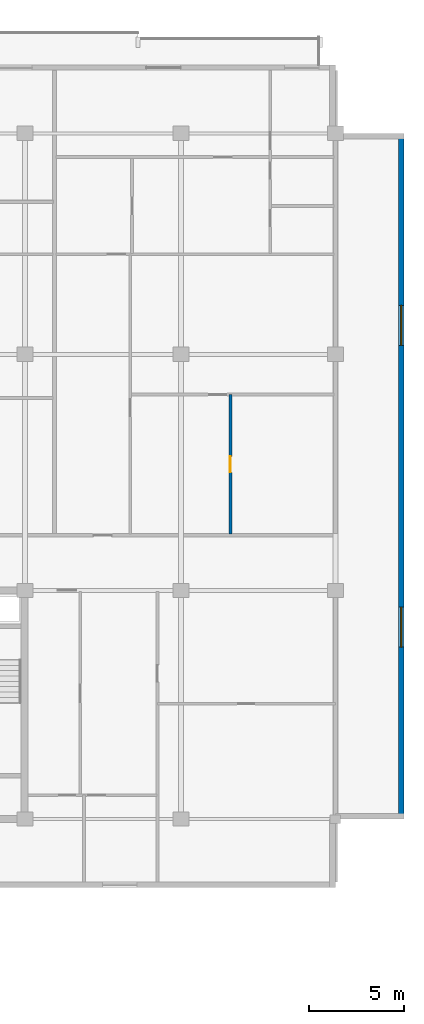
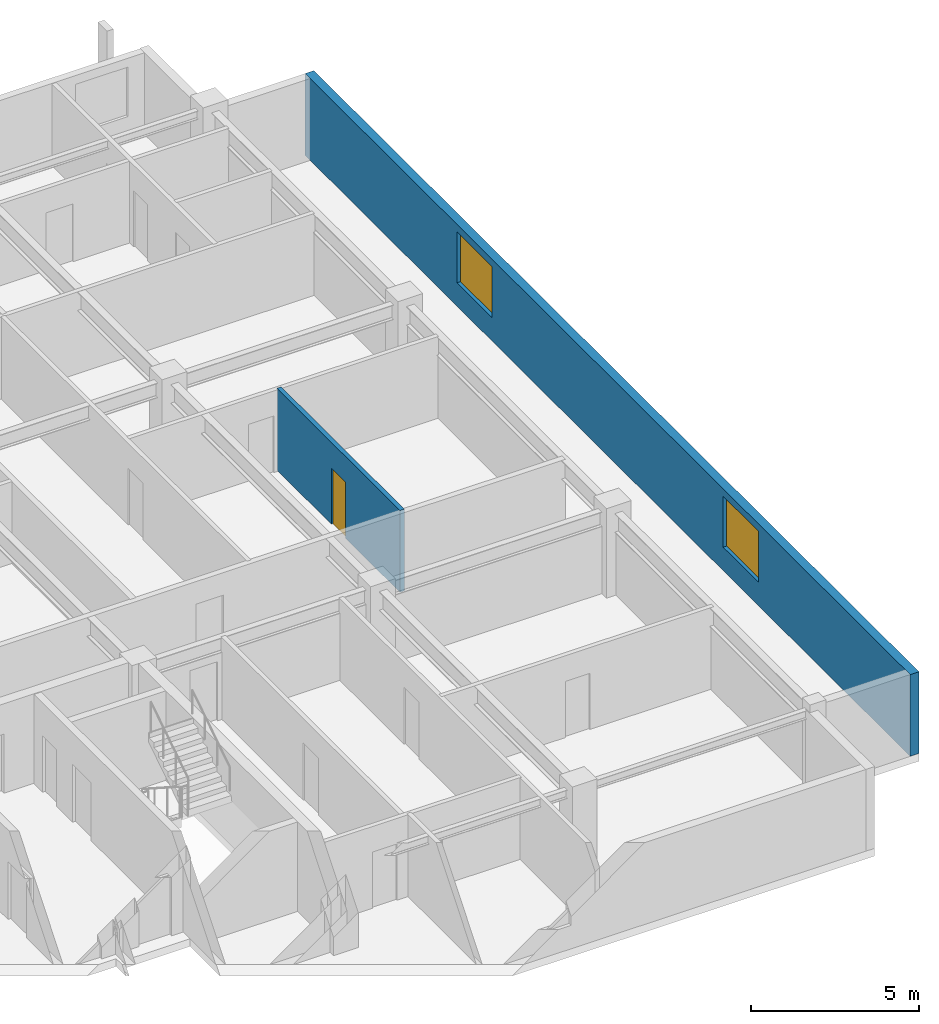
# One storey, part 6 of 11: 2 walls, 2 windows, 1 door, 3 openings.
"""IFC4 building model written with IfcOpenShell, lengths in metres."""

from ifc_helpers import new_model, si_unit, direction, frame, frame_2d, origin, place, context, subcontext, project, spatial, rectangle, extrude, material, layer, layer_set, type_object, element, fill, save


model = new_model("IFC4")

# Units and contexts
model_context = context("Model", 3, precision=1e-05, world=origin(), true_north=direction((0.0, 1.0)))
body_context = subcontext(model_context, "Body", "Model", "MODEL_VIEW")
ifc_project = project(units=[si_unit("LENGTHUNIT", "METRE"), si_unit("AREAUNIT", "SQUARE_METRE"), si_unit("VOLUMEUNIT", "CUBIC_METRE"), si_unit("PLANEANGLEUNIT", "RADIAN"), si_unit("MASSUNIT", "GRAM", prefix="KILO")], contexts=[model_context])

# Site, building, storey
site_placement = place(None, origin())
site = spatial("IfcSite", under=ifc_project, at=site_placement, CompositionType="ELEMENT")
building_placement = place(site_placement, origin())
building = spatial("IfcBuilding", under=site, at=building_placement, Name="Korimba Cascade Residences", CompositionType="ELEMENT")
storey_placement = place(building_placement, frame((0.0, 0.0, 217.35009765625)))
storey = spatial("IfcBuildingStorey", under=building, at=storey_placement, Name="L63", CompositionType="ELEMENT", Elevation=217.35009765625)

# Wall, openings, windows
ifc_material_1 = material(Name="Precast concrete C40/50", Category="concrete")
ifc_layer_1 = layer(ifc_material_1, 0.300048828125)
ifc_layer_set_1 = layer_set([ifc_layer_1], Name="Precast concrete C40/50")
wall_type_1 = type_object("IfcWallType", Name="EW-STONE-300", PredefinedType="STANDARD", material=ifc_layer_set_1)
wall_1_placement = place(storey_placement, frame((131.85009765625, 55.199951171875, 0.0), z_axis=(0.0, 0.0, 1.0), x_axis=(0.0, 1.0, 0.0)))
wall_1 = element("IfcWall", 1, at=wall_1_placement, inside=storey, type_object=wall_type_1, Name="L63 T1 Perimeter Stone Wall E03", PredefinedType="STANDARD", context=body_context, shape_type="SweptSolid", body=[
    extrude(rectangle(XDim=36.0, YDim=0.300048828125, at=frame_2d((18.0, 0.0))), origin(), (0.0, 0.0, 1.0), 2.969970703125),
])
opening_1_placement = place(wall_1_placement, frame((9.030029296875, 0.0, 0.85009765625)))
opening_1 = element("IfcOpeningElement", 2, at=opening_1_placement, cuts=wall_1, Name="Opening W-03", PredefinedType="OPENING", context=body_context, shape_type="SweptSolid", body=[
    extrude(rectangle(XDim=2.10009765625, YDim=1.85009765625, at=frame_2d((1.050048828125, 0.925048828125))), frame((0.0, 0.16015625, 0.0), z_axis=(0.0, -1.0, 0.0), x_axis=(1.0, 0.0, 0.0)), (0.0, 0.0, 1.0), 0.320068359375),
])
opening_2_placement = place(wall_1_placement, frame((24.8701171875, 0.0, 0.85009765625)))
opening_2 = element("IfcOpeningElement", 3, at=opening_2_placement, cuts=wall_1, Name="Opening W-03", PredefinedType="OPENING", context=body_context, shape_type="SweptSolid", body=[
    extrude(rectangle(XDim=2.10009765625, YDim=1.85009765625, at=frame_2d((1.050048828125, 0.925048828125))), frame((0.0, 0.16015625, 0.0), z_axis=(0.0, -1.0, 0.0), x_axis=(1.0, 0.0, 0.0)), (0.0, 0.0, 1.0), 0.320068359375),
])
ifc_material_2 = material(Name="Double-Glazed Aluminium Window", Category="aluminium")
window_type = type_object("IfcWindowType", Name="WIN-CRN-2100", PartitioningType="DOUBLE_PANEL_HORIZONTAL", PredefinedType="WINDOW", material=ifc_material_2)
window_1_placement = place(opening_1_placement, origin())
window_1 = element("IfcWindow", 4, at=window_1_placement, inside=storey, type_object=window_type, Name="L63 T1 End View Window 3.1", OverallHeight=1.85009765625, OverallWidth=2.10009765625, PartitioningType="DOUBLE_PANEL_HORIZONTAL", PredefinedType="WINDOW", context=body_context, shape_type="SweptSolid", body=[
    extrude(rectangle(XDim=2.10009765625, YDim=1.85009765625, at=frame_2d((1.050048828125, 0.925048828125))), frame((0.0, 0.030029296875, 0.0), z_axis=(0.0, -1.0, 0.0), x_axis=(1.0, 0.0, 0.0)), (0.0, 0.0, 1.0), 0.06005859375),
])
fill(opening_1, window_1)
window_2_placement = place(opening_2_placement, origin())
window_2 = element("IfcWindow", 5, at=window_2_placement, inside=storey, type_object=window_type, Name="L63 T1 End View Window 3.2", OverallHeight=1.85009765625, OverallWidth=2.10009765625, PartitioningType="DOUBLE_PANEL_HORIZONTAL", PredefinedType="WINDOW", context=body_context, shape_type="SweptSolid", body=[
    extrude(rectangle(XDim=2.10009765625, YDim=1.85009765625, at=frame_2d((1.050048828125, 0.925048828125))), frame((0.0, 0.030029296875, 0.0), z_axis=(0.0, -1.0, 0.0), x_axis=(1.0, 0.0, 0.0)), (0.0, 0.0, 1.0), 0.06005859375),
])
fill(opening_2, window_2)

# Wall, opening, door
ifc_material_3 = material(Name="Insulated Acoustic Stud Partition", Category="gypsum")
ifc_layer_2 = layer(ifc_material_3, 0.14990234375)
ifc_layer_set_2 = layer_set([ifc_layer_2], Name="Insulated Acoustic Stud Partition")
wall_type_2 = type_object("IfcWallType", Name="WAL-PART-150", PredefinedType="PARTITIONING", material=ifc_layer_set_2)
wall_2_placement = place(storey_placement, frame((122.883056640625, 70.159912109375, 0.0), z_axis=(0.0, 0.0, 1.0), x_axis=(0.0, 1.0, 0.0)))
wall_2 = element("IfcWall", 6, at=wall_2_placement, inside=storey, type_object=wall_type_2, Name="L63 Partition Wall WAL-L63-T1-U04-FMV", PredefinedType="PARTITIONING", context=body_context, shape_type="SweptSolid", body=[
    extrude(rectangle(XDim=7.3251953125, YDim=0.14990234375, at=frame_2d((3.66259765625, 0.0))), origin(), (0.0, 0.0, 1.0), 2.969970703125),
])
opening_3_placement = place(wall_2_placement, frame((3.242431640625, 0.0, 0.0)))
opening_3 = element("IfcOpeningElement", 7, at=opening_3_placement, cuts=wall_2, Name="Opening D-BT1", PredefinedType="OPENING", context=body_context, shape_type="SweptSolid", body=[
    extrude(rectangle(XDim=0.840087890625, YDim=2.0400390625, at=frame_2d((0.419921875, 1.02001953125))), frame((0.0, 0.0849609375, 0.0), z_axis=(0.0, -1.0, 0.0), x_axis=(1.0, 0.0, 0.0)), (0.0, 0.0, 1.0), 0.169921875),
])
ifc_material_4 = material(Name="Moisture-Resistant Bathroom Timber Door", Category="wood")
door_type = type_object("IfcDoorType", Name="DR-INT-850", OperationType="NOTDEFINED", PredefinedType="DOOR", material=ifc_material_4)
door_placement = place(opening_3_placement, origin())
door = element("IfcDoor", 8, at=door_placement, inside=storey, type_object=door_type, Name="L63-T1-U04 Wardrobe Door", OperationType="SINGLE_SWING_LEFT", OverallHeight=2.0400390625, OverallWidth=0.840087890625, PredefinedType="DOOR", context=body_context, shape_type="SweptSolid", body=[
    extrude(rectangle(XDim=0.840087890625, YDim=2.0400390625, at=frame_2d((0.419921875, 1.02001953125))), frame((0.0, 0.02490234375, 0.0), z_axis=(0.0, -1.0, 0.0), x_axis=(1.0, 0.0, 0.0)), (0.0, 0.0, 1.0), 0.050048828125),
])
fill(opening_3, door)

save(model, "model.ifc")
